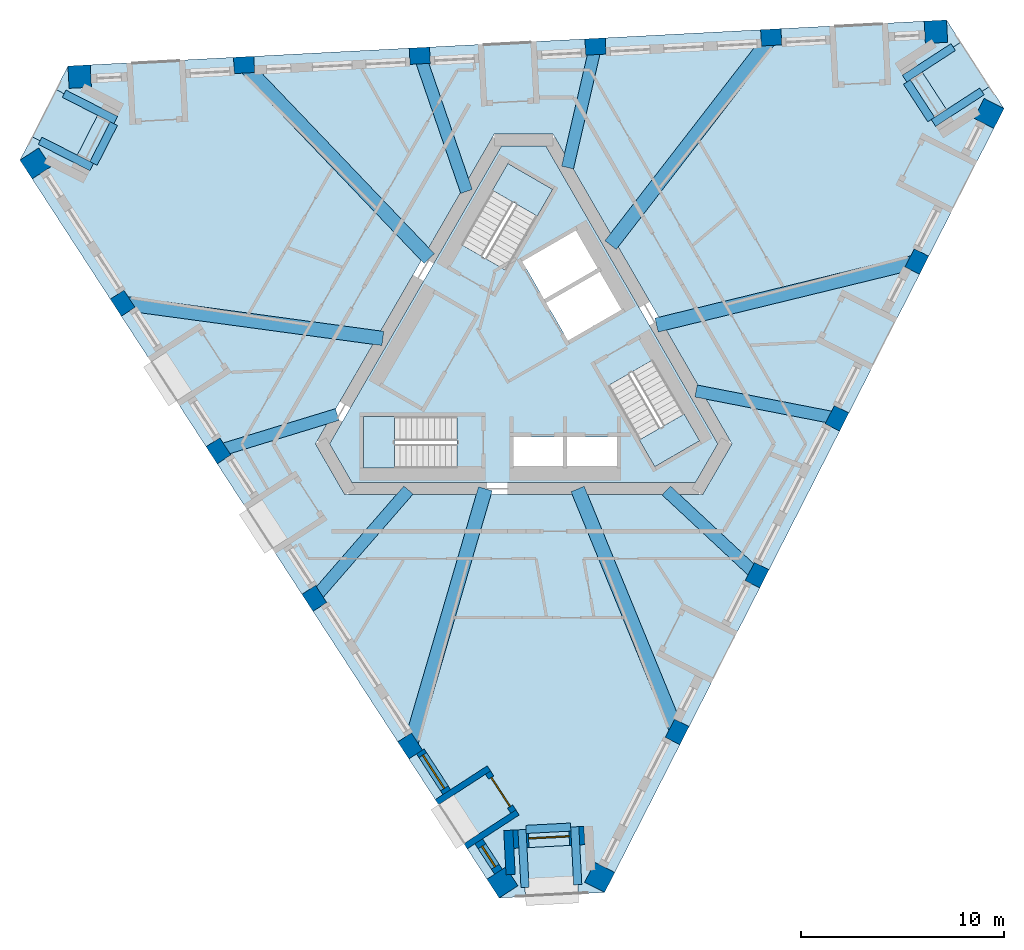
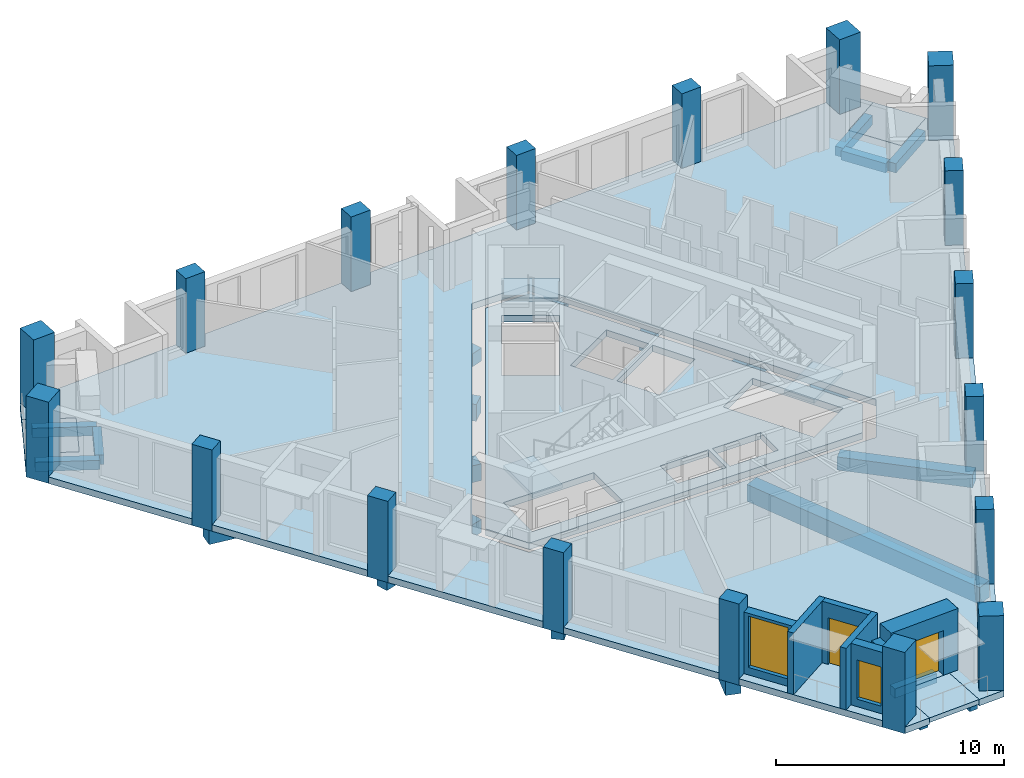
# One storey, part 1 of 12: 21 beams, 18 columns, 8 slabs, 7 walls, 2 doors, 2 windows, 4 openings, 3 elements without a shape of their own.
"""IFC4 building model written with IfcOpenShell, lengths in metres."""

import ifcopenshell
import ifcopenshell.guid

model = None  # the IFC model being written
_history = None  # IfcOwnerHistory: only IFC2X3 demands one
_inside = {}  # id of a spatial element -> (the spatial element, [elements in it])
_under = {}  # id of a project, library or spatial element -> (it, [spatial elements below it])
_declared = {}  # id of a project -> (the project, [libraries it declares])
_typed = {}  # id of a type object -> (the type object, [elements of that type])
_made_of = {}  # id of a material, layer set ... -> (it, [elements and type objects made of it])


def new_model(schema):
    """Start an empty IFC model of exactly this schema.

    Asked for "IFC4X3", IfcOpenShell would pick the latest addendum, in which some entities
    have other attributes; the version numbers below select the first issue.
    IFC2X3 requires an IfcOwnerHistory on every rooted entity: one is made here for all.
    """
    global model, _history
    if schema == "IFC4X3":
        model = ifcopenshell.file(schema_version=(4, 3, 0, 0))
    else:
        model = ifcopenshell.file(schema=schema)
    _inside.clear()
    _under.clear()
    _declared.clear()
    _typed.clear()
    _made_of.clear()
    _history = None
    if model.schema == "IFC2X3":
        org = make("IfcOrganization", Name="unknown")
        user = make(
            "IfcPersonAndOrganization",
            ThePerson=make("IfcPerson", FamilyName="unknown"),
            TheOrganization=org,
        )
        app = make(
            "IfcApplication",
            ApplicationDeveloper=org,
            Version="unknown",
            ApplicationFullName="unknown",
            ApplicationIdentifier="unknown",
        )
        _history = make(
            "IfcOwnerHistory",
            OwningUser=user,
            OwningApplication=app,
            ChangeAction="ADDED",
            CreationDate=0,
        )
    return model


def make(cls, **values):
    """One entity of the class cls with the attributes given. An attribute that is None is left unset."""
    return model.create_entity(
        cls, **{name: value for name, value in values.items() if value is not None}
    )


def rooted(cls, **values):
    """An entity with a GlobalId (a new one), such as an element, a storey or a relation."""
    return make(cls, GlobalId=ifcopenshell.guid.new(), OwnerHistory=_history, **values)


def si_unit(unit_type, name, prefix=None):
    """IfcSIUnit, for example si_unit("LENGTHUNIT", "METRE", prefix="MILLI")."""
    return make("IfcSIUnit", UnitType=unit_type, Prefix=prefix, Name=name)


def assignment(units):
    """IfcUnitAssignment: the units of a project."""
    return None if units is None else make("IfcUnitAssignment", Units=units)


def point(xyz):
    """IfcCartesianPoint."""
    return None if xyz is None else make("IfcCartesianPoint", Coordinates=xyz)


def direction(xyz):
    """IfcDirection."""
    return None if xyz is None else make("IfcDirection", DirectionRatios=xyz)


def frame(location, z_axis=None, x_axis=None):
    """IfcAxis2Placement3D, a coordinate frame: its origin and axes. An axis left out is left unset."""
    return make(
        "IfcAxis2Placement3D",
        Location=point(location),
        Axis=direction(z_axis),
        RefDirection=direction(x_axis),
    )


def frame_2d(location, x_axis=None):
    """IfcAxis2Placement2D, a coordinate frame in the plane: its origin and x axis."""
    return make(
        "IfcAxis2Placement2D", Location=point(location), RefDirection=direction(x_axis)
    )


def origin():
    """The frame at (0, 0, 0) with its axes left unset."""
    return frame((0.0, 0.0, 0.0))


def origin_2d():
    """The frame at (0, 0) in the plane with its x axis left unset."""
    return frame_2d((0.0, 0.0))


def place(relative_to, where):
    """IfcLocalPlacement: puts the frame where relative to a parent placement (None: the world)."""
    return make(
        "IfcLocalPlacement", PlacementRelTo=relative_to, RelativePlacement=where
    )


def context(
    kind, dimensions, precision=None, world=None, true_north=None, identifier=None
):
    """IfcGeometricRepresentationContext, for example the 3D "Model" context."""
    return make(
        "IfcGeometricRepresentationContext",
        ContextIdentifier=identifier,
        ContextType=kind,
        CoordinateSpaceDimension=dimensions,
        Precision=precision,
        WorldCoordinateSystem=world,
        TrueNorth=true_north,
    )


def subcontext(parent, identifier, kind, view, scale=None):
    """IfcGeometricRepresentationSubContext, for example "Body" below "Model"."""
    return make(
        "IfcGeometricRepresentationSubContext",
        ContextIdentifier=identifier,
        ContextType=kind,
        ParentContext=parent,
        TargetScale=scale,
        TargetView=view,
    )


def project(units=None, contexts=None):
    """IfcProject with its units and contexts."""
    return rooted(
        "IfcProject",
        Name="project",
        RepresentationContexts=contexts,
        UnitsInContext=assignment(units),
    )


def spatial(cls, under=None, at=None, **own):
    """A site, building, storey or space (cls), placed at a placement, below another one or the project."""
    s = rooted(cls, ObjectPlacement=at, **own)
    if under is not None:
        _under.setdefault(under.id(), (under, []))[1].append(s)
    return s


def polyline(points):
    """IfcPolyline through the points."""
    return make("IfcPolyline", Points=[point(p) for p in points])


def profile(cls, at=None, kind="AREA", **sizes):
    """A parametric profile (cls). Its sizes go by their IFC names, for example OverallWidth=200.0."""
    return make(cls, ProfileType=kind, Position=at, **sizes)


def rectangle(**sizes):
    """IfcRectangleProfileDef."""
    return profile("IfcRectangleProfileDef", **sizes)


def outline(outer, holes=None, kind="AREA"):
    """IfcArbitraryClosedProfileDef: a profile drawn as a closed curve; with holes, ...WithVoids."""
    if holes is None:
        return make("IfcArbitraryClosedProfileDef", ProfileType=kind, OuterCurve=outer)
    return make(
        "IfcArbitraryProfileDefWithVoids",
        ProfileType=kind,
        OuterCurve=outer,
        InnerCurves=holes,
    )


def extrude(swept, where, along, depth):
    """IfcExtrudedAreaSolid: the profile swept, set in the frame where, extruded along a direction by depth."""
    return make(
        "IfcExtrudedAreaSolid",
        SweptArea=swept,
        Position=where,
        ExtrudedDirection=direction(along),
        Depth=depth,
    )


def shape(context_of_items, identifier, shape_type, items):
    """IfcShapeRepresentation: the items that make up one representation, for example the "Body"."""
    return make(
        "IfcShapeRepresentation",
        ContextOfItems=context_of_items,
        RepresentationIdentifier=identifier,
        RepresentationType=shape_type,
        Items=items,
    )


def material(Name=None, Category=None):
    """IfcMaterial."""
    return make("IfcMaterial", Name=Name, Category=Category)


def layer(
    of_material, thickness, ventilated=None, Name=None, Category=None, Priority=None
):
    """IfcMaterialLayer: one layer of a wall or slab, of a material (None: an air gap)."""
    return make(
        "IfcMaterialLayer",
        Material=of_material,
        LayerThickness=thickness,
        IsVentilated=ventilated,
        Name=Name,
        Category=Category,
        Priority=Priority,
    )


def layer_set(layers, Name=None):
    """IfcMaterialLayerSet."""
    return make("IfcMaterialLayerSet", MaterialLayers=layers, LayerSetName=Name)


def material_profile(
    of_material, cross_section, Name=None, Category=None, Priority=None
):
    """IfcMaterialProfile: a cross section and its material."""
    return make(
        "IfcMaterialProfile",
        Name=Name,
        Material=of_material,
        Profile=cross_section,
        Priority=Priority,
        Category=Category,
    )


def profile_set(profiles, Name=None, composite=None):
    """IfcMaterialProfileSet."""
    return make(
        "IfcMaterialProfileSet",
        Name=Name,
        MaterialProfiles=profiles,
        CompositeProfile=composite,
    )


def made_of(thing, what):
    """Note that an element or type object is made of a material, layer set ...; save() writes the relation."""
    if what is not None:
        _made_of.setdefault(what.id(), (what, []))[1].append(thing)
    return thing


def type_object(cls, material=None, **own):
    """A type object (cls), such as IfcWallType, which elements share."""
    return made_of(rooted(cls, **own), material)


def element(
    cls,
    number,
    at=None,
    inside=None,
    cuts=None,
    type_object=None,
    material=None,
    context=None,
    identifier="Body",
    shape_type=None,
    held_by="IfcProductDefinitionShape",
    body=None,
    shapes=None,
    **own,
):
    """One element of the class cls, such as IfcWall. Its Tag is "e" and its number.

    at: its placement. inside: the storey or other place that contains it. cuts: it is an
    opening in that element (IfcRelVoidsElement). A single representation is given by context,
    identifier, shape_type and body (its items); several are given by shapes. held_by: the class
    of the entity that holds the representations. save() writes the other relations.
    """
    e = rooted(cls, Tag="e%d" % number, ObjectPlacement=at, **own)
    if body is not None:
        shapes = [shape(context, identifier, shape_type, body)]
    if shapes is not None:
        e.Representation = make(held_by, Representations=shapes)
    if inside is not None:
        _inside.setdefault(inside.id(), (inside, []))[1].append(e)
    if cuts is not None:
        rooted(
            "IfcRelVoidsElement", RelatingBuildingElement=cuts, RelatedOpeningElement=e
        )
    if type_object is not None:
        _typed.setdefault(type_object.id(), (type_object, []))[1].append(e)
    return made_of(e, material)


def fill(opening, filler):
    """IfcRelFillsElement: the door or window that sits in an opening."""
    return rooted(
        "IfcRelFillsElement",
        RelatingOpeningElement=opening,
        RelatedBuildingElement=filler,
    )


def aggregate(whole, parts):
    """IfcRelAggregates: a whole, such as a stair, and the parts it consists of."""
    return rooted("IfcRelAggregates", RelatingObject=whole, RelatedObjects=parts)


def save(model, path):
    """Write the relations noted so far, then the file.

    IfcRelAggregates (storeys below a building ...), IfcRelContainedInSpatialStructure (elements
    in a storey), IfcRelDefinesByType, IfcRelAssociatesMaterial and IfcRelDeclares: one each for
    every whole, place, type object, material and project.
    """
    for whole, parts in _under.values():
        aggregate(whole, parts)
    for where, things in _inside.values():
        rooted(
            "IfcRelContainedInSpatialStructure",
            RelatedElements=things,
            RelatingStructure=where,
        )
    for kind, things in _typed.values():
        rooted("IfcRelDefinesByType", RelatedObjects=things, RelatingType=kind)
    for what, things in _made_of.values():
        rooted("IfcRelAssociatesMaterial", RelatedObjects=things, RelatingMaterial=what)
    for by, libraries in _declared.values():
        rooted("IfcRelDeclares", RelatingContext=by, RelatedDefinitions=libraries)
    model.write(path)


model = new_model("IFC4")

# Units and contexts
model_context = context("Model", 3, precision=1e-05, world=origin(), true_north=direction((0.0, 1.0)))
body_context = subcontext(model_context, "Body", "Model", "MODEL_VIEW")
ifc_project = project(units=[si_unit("LENGTHUNIT", "METRE"), si_unit("AREAUNIT", "SQUARE_METRE"), si_unit("VOLUMEUNIT", "CUBIC_METRE"), si_unit("PLANEANGLEUNIT", "RADIAN"), si_unit("MASSUNIT", "GRAM", prefix="KILO")], contexts=[model_context])

# Site, building, storey
site_placement = place(None, origin())
site = spatial("IfcSite", under=ifc_project, at=site_placement, CompositionType="ELEMENT")
building_placement = place(site_placement, origin())
building = spatial("IfcBuilding", under=site, at=building_placement, Name="Tramontana Tower", CompositionType="ELEMENT")
storey_placement = place(building_placement, frame((0.0, 0.0, 274.39990234375)))
storey = spatial("IfcBuildingStorey", under=building, at=storey_placement, Name="L64", CompositionType="ELEMENT", Elevation=274.39990234375)

# Columns
ifc_material_1 = material(Name="Concrete 55 MPa", Category="concrete")
ifc_material_profile_1 = material_profile(ifc_material_1, rectangle(XDim=1.10009765625, YDim=1.10009765625, at=origin_2d()), Name="Mega column 1100X1100 55 MPa")
ifc_profile_set_1 = profile_set([ifc_material_profile_1], Name="Concrete 55 MPa")
column_type_1 = type_object("IfcColumnType", Name="Mega column 1100X1100 55 MPa", PredefinedType="COLUMN", material=ifc_profile_set_1)
for number, where, z_axis, x_axis, name in (
    (1, (-24.0302734375, 9.55419921875, -0.349853515625), (0.0, 0.0, 1.0), (0.544639035015, -0.838670567945, 0.0), "Mega column C7K1 L64"),
    (2, (-1.0458984375, -25.8388671875, -0.349853515625), (0.0, 0.0, 1.0), (0.544639035015, -0.838670567945, 0.0), "Mega column C7K2 L64"),
    (3, (3.740966796875, -25.587890625, -0.349853515625), (0.0, 0.0, 1.0), (0.45399049974, 0.891006524188, 0.0), "Mega column C7K3 L64"),
    (4, (22.900146484375, 12.013671875, -0.349853515625), (0.0, 0.0, 1.0), (0.45399049974, 0.891006524188, 0.0), "Mega column C7K4 L64"),
    (5, (20.289306640625, 16.033935546875, -0.349853515625), (0.0, 0.0, 1.0), (-0.998629534755, -0.052335956243, 0.0), "Mega column C7K5 L64"),
    (6, (-21.854248046875, 13.8251953125, -0.349853515625), (0.0, 0.0, 1.0), (-0.998629534755, -0.052335956243, 0.0), "Mega column C7K6 L64"),
):
    element("IfcColumn", number, at=place(storey_placement, frame(where, z_axis=z_axis, x_axis=x_axis)), inside=storey, type_object=column_type_1, Name=name, PredefinedType="COLUMN", context=body_context, shape_type="SweptSolid", body=[
        extrude(rectangle(XDim=1.10009765625, YDim=1.10009765625, at=origin_2d()), origin(), (0.0, 0.0, 1.0), 4.349853515625),
    ])
ifc_material_2 = material(Name="Concrete 55 MPa", Category="concrete")
ifc_material_profile_2 = material_profile(ifc_material_2, rectangle(XDim=1.0, YDim=0.800048828125, at=origin_2d()), Name="Pier column 1000X800 55 MPa")
ifc_profile_set_2 = profile_set([ifc_material_profile_2], Name="Concrete 55 MPa")
column_type_2 = type_object("IfcColumnType", Name="Pier column 1000X800 55 MPa", PredefinedType="COLUMN", material=ifc_profile_set_2)
for number, where, z_axis, x_axis, name in (
    (7, (-19.739013671875, 2.670654296875, -0.349853515625), (0.0, 0.0, 1.0), (0.544639035015, -0.838670567945, 0.0), "Pier column C7F01 L64"),
    (8, (-15.022216796875, -4.592529296875, -0.349853515625), (0.0, 0.0, 1.0), (0.544639035015, -0.838670567945, 0.0), "Pier column C7F02 L64"),
    (9, (-10.3056640625, -11.855712890625, -0.349853515625), (0.0, 0.0, 1.0), (0.544639035015, -0.838670567945, 0.0), "Pier column C7F03 L64"),
    (10, (-5.5888671875, -19.11865234375, -0.349853515625), (0.0, 0.0, 1.0), (0.544639035015, -0.838670567945, 0.0), "Pier column C7F04 L64"),
    (11, (7.556640625, -18.4296875, -0.349853515625), (0.0, 0.0, 1.0), (0.45399049974, 0.891006524188, 0.0), "Pier column C7F05 L64"),
    (12, (11.48828125, -10.71337890625, -0.349853515625), (0.0, 0.0, 1.0), (0.45399049974, 0.891006524188, 0.0), "Pier column C7F06 L64"),
    (13, (15.419921875, -2.9970703125, -0.349853515625), (0.0, 0.0, 1.0), (0.45399049974, 0.891006524188, 0.0), "Pier column C7F07 L64"),
    (14, (19.351806640625, 4.71923828125, -0.349853515625), (0.0, 0.0, 1.0), (0.45399049974, 0.891006524188, 0.0), "Pier column C7F08 L64"),
    (15, (12.182373046875, 15.75927734375, -0.349853515625), (0.0, 0.0, 1.0), (-0.998629534755, -0.052335956243, 0.0), "Pier column C7F09 L64"),
    (16, (3.533935546875, 15.305908203125, -0.349853515625), (0.0, 0.0, 1.0), (-0.998629534755, -0.052335956243, 0.0), "Pier column C7F10 L64"),
    (17, (-5.114501953125, 14.852783203125, -0.349853515625), (0.0, 0.0, 1.0), (-0.998629534755, -0.052335956243, 0.0), "Pier column C7F11 L64"),
    (18, (-13.762939453125, 14.3994140625, -0.349853515625), (0.0, 0.0, 1.0), (-0.998629534755, -0.052335956243, 0.0), "Pier column C7F12 L64"),
):
    element("IfcColumn", number, at=place(storey_placement, frame(where, z_axis=z_axis, x_axis=x_axis)), inside=storey, type_object=column_type_2, Name=name, PredefinedType="COLUMN", context=body_context, shape_type="SweptSolid", body=[
        extrude(rectangle(XDim=1.0, YDim=0.800048828125, at=origin_2d()), origin(), (0.0, 0.0, 1.0), 4.349853515625),
    ])

# Beams
ifc_material_3 = material(Name="Concrete 40 MPa", Category="concrete")
ifc_material_profile_3 = material_profile(ifc_material_3, rectangle(XDim=0.60009765625, YDim=0.699951171875, at=origin_2d()), Name="RC GIRDER 600X700 40 MPa")
ifc_profile_set_3 = profile_set([ifc_material_profile_3], Name="Concrete 40 MPa")
beam_type_1 = type_object("IfcBeamType", Name="RC GIRDER 600X700 40 MPa", PredefinedType="BEAM", material=ifc_profile_set_3)
beam_1_placement = place(storey_placement, frame((-15.022216796875, -4.592529296875, -0.699951171875), z_axis=(0.956311245936, 0.292350476137, 0.0), x_axis=(-0.292350476137, 0.956311245936, 0.0)))
element("IfcBeam", 19, at=beam_1_placement, inside=storey, type_object=beam_type_1, Name="Radial girder C7F02 L64", PredefinedType="BEAM", context=body_context, shape_type="SweptSolid", body=[
    extrude(rectangle(XDim=0.60009765625, YDim=0.699951171875, at=origin_2d()), origin(), (0.0, 0.0, 1.0), 6.111328125),
])
beam_2_placement = place(storey_placement, frame((-10.3056640625, -11.855712890625, -0.699951171875), z_axis=(0.656054652409, 0.754713384705, 0.0), x_axis=(-0.754713384705, 0.656054652409, 0.0)))
element("IfcBeam", 20, at=beam_2_placement, inside=storey, type_object=beam_type_1, Name="Radial girder C7F03 L64", PredefinedType="BEAM", context=body_context, shape_type="SweptSolid", body=[
    extrude(rectangle(XDim=0.60009765625, YDim=0.699951171875, at=origin_2d()), origin(), (0.0, 0.0, 1.0), 7.06494140625),
])
beam_3_placement = place(storey_placement, frame((11.48828125, -10.71337890625, -0.699951171875), z_axis=(-0.731344808312, 0.682007896843, 0.0), x_axis=(-0.682007896843, -0.731344808312, 0.0)))
element("IfcBeam", 21, at=beam_3_placement, inside=storey, type_object=beam_type_1, Name="Radial girder C7F06 L64", PredefinedType="BEAM", context=body_context, shape_type="SweptSolid", body=[
    extrude(rectangle(XDim=0.60009765625, YDim=0.699951171875, at=origin_2d()), origin(), (0.0, 0.0, 1.0), 6.111328125),
])
beam_4_placement = place(storey_placement, frame((15.419921875, -2.9970703125, -0.699951171875), z_axis=(-0.981630853668, 0.190790112761, 0.0), x_axis=(-0.190790112761, -0.981630853668, 0.0)))
element("IfcBeam", 22, at=beam_4_placement, inside=storey, type_object=beam_type_1, Name="Radial girder C7F07 L64", PredefinedType="BEAM", context=body_context, shape_type="SweptSolid", body=[
    extrude(rectangle(XDim=0.60009765625, YDim=0.699951171875, at=origin_2d()), origin(), (0.0, 0.0, 1.0), 7.06494140625),
])
beam_5_placement = place(storey_placement, frame((3.533935546875, 15.305908203125, -0.699951171875), z_axis=(-0.224955788451, -0.974368971818, 0.0), x_axis=(0.974368971818, -0.224955788451, 0.0)))
element("IfcBeam", 23, at=beam_5_placement, inside=storey, type_object=beam_type_1, Name="Radial girder C7F10 L64", PredefinedType="BEAM", context=body_context, shape_type="SweptSolid", body=[
    extrude(rectangle(XDim=0.60009765625, YDim=0.699951171875, at=origin_2d()), origin(), (0.0, 0.0, 1.0), 6.111328125),
])
beam_6_placement = place(storey_placement, frame((-5.114501953125, 14.852783203125, -0.699951171875), z_axis=(0.325583843266, -0.945513173364, 0.0), x_axis=(0.945513173364, 0.325583843266, 0.0)))
element("IfcBeam", 24, at=beam_6_placement, inside=storey, type_object=beam_type_1, Name="Radial girder C7F11 L64", PredefinedType="BEAM", context=body_context, shape_type="SweptSolid", body=[
    extrude(rectangle(XDim=0.60009765625, YDim=0.699951171875, at=origin_2d()), origin(), (0.0, 0.0, 1.0), 7.065185546875),
])
ifc_material_4 = material(Name="Concrete 40 MPa", Category="concrete")
ifc_material_profile_4 = material_profile(ifc_material_4, rectangle(XDim=0.699951171875, YDim=0.89990234375, at=origin_2d()), Name="RC GIRDER 700X900 40 MPa")
ifc_profile_set_4 = profile_set([ifc_material_profile_4], Name="Concrete 40 MPa")
beam_type_2 = type_object("IfcBeamType", Name="RC GIRDER 700X900 40 MPa", PredefinedType="BEAM", material=ifc_profile_set_4)
beam_7_placement = place(storey_placement, frame((-19.739013671875, 2.670654296875, -0.7998046875), z_axis=(0.990971820042, -0.134070324396, 0.0), x_axis=(0.134070324396, 0.990971820042, 0.0)))
element("IfcBeam", 25, at=beam_7_placement, inside=storey, type_object=beam_type_2, Name="Radial girder C7F01 L64", PredefinedType="BEAM", context=body_context, shape_type="SweptSolid", body=[
    extrude(rectangle(XDim=0.699951171875, YDim=0.89990234375, at=origin_2d()), origin(), (0.0, 0.0, 1.0), 12.923583984375),
])
beam_8_placement = place(storey_placement, frame((-5.5888671875, -19.11865234375, -0.7998046875), z_axis=(0.280592184152, 0.959827081402, 0.0), x_axis=(-0.959827081402, 0.280592184152, 0.0)))
element("IfcBeam", 26, at=beam_8_placement, inside=storey, type_object=beam_type_2, Name="Radial girder C7F04 L64", PredefinedType="BEAM", context=body_context, shape_type="SweptSolid", body=[
    extrude(rectangle(XDim=0.699951171875, YDim=0.89990234375, at=origin_2d()), origin(), (0.0, 0.0, 1.0), 13.186279296875),
])
beam_9_placement = place(storey_placement, frame((7.556640625, -18.4296875, -0.7998046875), z_axis=(-0.379376408021, 0.925242422848, 0.0), x_axis=(-0.925242422848, -0.379376408021, 0.0)))
element("IfcBeam", 27, at=beam_9_placement, inside=storey, type_object=beam_type_2, Name="Radial girder C7F05 L64", PredefinedType="BEAM", context=body_context, shape_type="SweptSolid", body=[
    extrude(rectangle(XDim=0.699951171875, YDim=0.89990234375, at=origin_2d()), origin(), (0.0, 0.0, 1.0), 12.92333984375),
])
beam_10_placement = place(storey_placement, frame((19.351806640625, 4.71923828125, -0.7998046875), z_axis=(-0.971531149173, -0.2369118532, 0.0), x_axis=(0.2369118532, -0.971531149173, 0.0)))
element("IfcBeam", 28, at=beam_10_placement, inside=storey, type_object=beam_type_2, Name="Radial girder C7F08 L64", PredefinedType="BEAM", context=body_context, shape_type="SweptSolid", body=[
    extrude(rectangle(XDim=0.699951171875, YDim=0.89990234375, at=origin_2d()), origin(), (0.0, 0.0, 1.0), 13.1865234375),
])
beam_11_placement = place(storey_placement, frame((12.182373046875, 15.75927734375, -0.7998046875), z_axis=(-0.611594268049, -0.791171568808, 0.0), x_axis=(0.791171568808, -0.611594268049, 0.0)))
element("IfcBeam", 29, at=beam_11_placement, inside=storey, type_object=beam_type_2, Name="Radial girder C7F09 L64", PredefinedType="BEAM", context=body_context, shape_type="SweptSolid", body=[
    extrude(rectangle(XDim=0.699951171875, YDim=0.89990234375, at=origin_2d()), origin(), (0.0, 0.0, 1.0), 12.923583984375),
])
beam_12_placement = place(storey_placement, frame((-13.762939453125, 14.3994140625, -0.7998046875), z_axis=(0.69094809316, -0.722904373039, 0.0), x_axis=(0.722904373039, 0.69094809316, 0.0)))
element("IfcBeam", 30, at=beam_12_placement, inside=storey, type_object=beam_type_2, Name="Radial girder C7F12 L64", PredefinedType="BEAM", context=body_context, shape_type="SweptSolid", body=[
    extrude(rectangle(XDim=0.699951171875, YDim=0.89990234375, at=origin_2d()), origin(), (0.0, 0.0, 1.0), 13.186279296875),
])
ifc_material_5 = material(Name="Concrete 40 MPa", Category="concrete")
ifc_material_profile_5 = material_profile(ifc_material_5, rectangle(XDim=0.39990234375, YDim=0.5, at=origin_2d()), Name="RC TRIM BEAM 400X500 40 MPa")
ifc_profile_set_5 = profile_set([ifc_material_profile_5], Name="Concrete 40 MPa")
beam_type_3 = type_object("IfcBeamType", Name="RC TRIM BEAM 400X500 40 MPa", PredefinedType="JOIST", material=ifc_profile_set_5)
beam_13_placement = place(storey_placement, frame((-20.172119140625, 11.5126953125, -0.599853515625), z_axis=(-0.453904168922, -0.891050506669, 0.0), x_axis=(0.891050506669, -0.453904168922, 0.0)))
element("IfcBeam", 31, at=beam_13_placement, inside=storey, type_object=beam_type_3, Name="Trimmer beam K0 L64", PredefinedType="JOIST", context=body_context, shape_type="SweptSolid", body=[
    extrude(rectangle(XDim=0.39990234375, YDim=0.5, at=origin_2d()), origin(), (0.0, 0.0, 1.0), 2.199951171875),
])
for number, where, z_axis, x_axis, name in (
    (32, (-22.62060546875, 12.98486328125, -0.599853515625), (0.890991768973, -0.454019457317, 0.0), (0.454019457317, 0.890991768973, 0.0), "Tray beam K0L L64"),
    (33, (-23.80078125, 10.668212890625, -0.599853515625), (0.890991768973, -0.454019457317, 0.0), (0.454019457317, 0.890991768973, 0.0), "Tray beam K0R L64"),
):
    element("IfcBeam", number, at=place(storey_placement, frame(where, z_axis=z_axis, x_axis=x_axis)), inside=storey, type_object=beam_type_3, Name=name, PredefinedType="JOIST", context=body_context, shape_type="SweptSolid", body=[
        extrude(rectangle(XDim=0.39990234375, YDim=0.5, at=origin_2d()), origin(), (0.0, 0.0, 1.0), 2.85009765625),
    ])
beam_14_placement = place(storey_placement, frame((0.11572265625, -23.225830078125, -0.599853515625), z_axis=(0.998627316044, 0.052378274605, 0.0), x_axis=(-0.052378274605, 0.998627316044, 0.0)))
element("IfcBeam", 34, at=beam_14_placement, inside=storey, type_object=beam_type_3, Name="Trimmer beam K1 L64", PredefinedType="JOIST", context=body_context, shape_type="SweptSolid", body=[
    extrude(rectangle(XDim=0.39990234375, YDim=0.5, at=origin_2d()), origin(), (0.0, 0.0, 1.0), 2.199951171875),
])
for number, where, z_axis, x_axis, name in (
    (35, (0.065185546875, -26.082275390625, -0.599853515625), (-0.052338528339, 0.998629399953, 0.0), (-0.998629399953, -0.052338528339, 0.0), "Tray beam K1L L64"),
    (36, (2.66162109375, -25.9462890625, -0.599853515625), (-0.052338528339, 0.998629399953, 0.0), (-0.998629399953, -0.052338528339, 0.0), "Tray beam K1R L64"),
):
    element("IfcBeam", number, at=place(storey_placement, frame(where, z_axis=z_axis, x_axis=x_axis)), inside=storey, type_object=beam_type_3, Name=name, PredefinedType="JOIST", context=body_context, shape_type="SweptSolid", body=[
        extrude(rectangle(XDim=0.39990234375, YDim=0.5, at=origin_2d()), origin(), (0.0, 0.0, 1.0), 2.85009765625),
    ])
beam_15_placement = place(storey_placement, frame((20.056396484375, 11.713134765625, -0.599853515625), z_axis=(-0.544672350866, 0.838648931438, 0.0), x_axis=(-0.838648931438, -0.544672350866, 0.0)))
element("IfcBeam", 37, at=beam_15_placement, inside=storey, type_object=beam_type_3, Name="Trimmer beam K2 L64", PredefinedType="JOIST", context=body_context, shape_type="SweptSolid", body=[
    extrude(rectangle(XDim=0.39990234375, YDim=0.5, at=origin_2d()), origin(), (0.0, 0.0, 1.0), 2.199951171875),
])
beam_16_placement = place(storey_placement, frame((22.555419921875, 13.09765625, -0.599853515625), z_axis=(-0.838658842144, -0.544657090741, 0.0), x_axis=(0.544657090741, -0.838658842144, 0.0)))
element("IfcBeam", 38, at=beam_16_placement, inside=storey, type_object=beam_type_3, Name="Tray beam K2L L64", PredefinedType="JOIST", context=body_context, shape_type="SweptSolid", body=[
    extrude(rectangle(XDim=0.39990234375, YDim=0.5, at=origin_2d()), origin(), (0.0, 0.0, 1.0), 2.849853515625),
])
beam_17_placement = place(storey_placement, frame((21.139404296875, 15.278076171875, -0.599853515625), z_axis=(-0.838684251997, -0.544617962843, 0.0), x_axis=(0.544617962843, -0.838684251997, 0.0)))
element("IfcBeam", 39, at=beam_17_placement, inside=storey, type_object=beam_type_3, Name="Tray beam K2R L64", PredefinedType="JOIST", context=body_context, shape_type="SweptSolid", body=[
    extrude(rectangle(XDim=0.39990234375, YDim=0.5, at=origin_2d()), origin(), (0.0, 0.0, 1.0), 2.85009765625),
])

# Slabs
ifc_material_6 = material(Name="Precast concrete 50 MPa", Category="concrete")
ifc_layer_1 = layer(ifc_material_6, 0.25)
ifc_layer_set_1 = layer_set([ifc_layer_1], Name="LT1 Loggia floor tray 250")
slab_type_1 = type_object("IfcSlabType", Name="LT1 Loggia floor tray 250", PredefinedType="FLOOR", material=ifc_layer_set_1)
slab_1_placement = place(storey_placement, frame((0.0, 0.0, -0.25)))
element("IfcSlab", 40, at=slab_1_placement, inside=storey, type_object=slab_type_1, Name="Corner loggia floor L64 K70", PredefinedType="FLOOR", context=body_context, shape_type="SweptSolid", body=[
    extrude(outline(polyline([(-23.021484375, 13.18896484375), (-20.883056640625, 12.099365234375), (-22.0634765625, 9.782958984375), (-24.201904296875, 10.87255859375), (-23.021484375, 13.18896484375)])), origin(), (0.0, 0.0, 1.0), 0.25),
])
slab_2_placement = place(storey_placement, frame((0.0, 0.0, -0.25)))
element("IfcSlab", 41, at=slab_2_placement, inside=storey, type_object=slab_type_1, Name="Corner loggia floor L64 K71", PredefinedType="FLOOR", context=body_context, shape_type="SweptSolid", body=[
    extrude(outline(polyline([(0.088623046875, -26.53173828125), (-0.036865234375, -24.135009765625), (2.5595703125, -23.9990234375), (2.68505859375, -26.395751953125), (0.088623046875, -26.53173828125)])), origin(), (0.0, 0.0, 1.0), 0.25),
])
slab_3_placement = place(storey_placement, frame((0.0, 0.0, -0.25)))
element("IfcSlab", 42, at=slab_3_placement, inside=storey, type_object=slab_type_1, Name="Corner loggia floor L64 K72", PredefinedType="FLOOR", context=body_context, shape_type="SweptSolid", body=[
    extrude(outline(polyline([(22.932861328125, 13.3427734375), (20.919921875, 12.03564453125), (19.50390625, 14.216064453125), (21.516845703125, 15.523193359375), (22.932861328125, 13.3427734375)])), origin(), (0.0, 0.0, 1.0), 0.25),
])
ifc_material_7 = material(Name="Concrete 40 MPa", Category="concrete")
ifc_layer_2 = layer(ifc_material_7, 0.35009765625)
ifc_layer_set_2 = layer_set([ifc_layer_2], Name="PT FLAT SLAB 350 40 MPa")
slab_type_2 = type_object("IfcSlabType", Name="PT FLAT SLAB 350 40 MPa", PredefinedType="FLOOR", material=ifc_layer_set_2)
slab_4_placement = place(storey_placement, frame((0.0, 0.0, -0.349853515625)))
element("IfcSlab", 43, at=slab_4_placement, inside=storey, type_object=slab_type_2, Name="Floor slab L64", PredefinedType="FLOOR", context=body_context, shape_type="SweptSolid", body=[
    extrude(outline(polyline([(21.5166015625, 15.523193359375), (19.50390625, 14.216064453125), (20.919921875, 12.035400390625), (22.932861328125, 13.3427734375), (23.639892578125, 12.25390625), (3.9814453125, -26.32763671875), (2.68505859375, -26.3955078125), (2.5595703125, -23.998779296875), (-0.036865234375, -24.135009765625), (0.088623046875, -26.53173828125), (-1.20751953125, -26.599609375), (-24.791259765625, 9.7158203125), (-24.201904296875, 10.872314453125), (-22.0634765625, 9.782958984375), (-20.883056640625, 12.099609375), (-23.021484375, 13.189208984375), (-22.43212890625, 14.345703125), (20.809814453125, 16.61181640625), (21.5166015625, 15.523193359375)]), holes=[polyline([(-10.248046875, -4.25), (-8.8046875, -6.75), (8.8046875, -6.75), (10.248046875, -4.25), (1.443359375, 11.0), (-1.443359375, 11.0), (-10.248046875, -4.25)])]), origin(), (0.0, 0.0, 1.0), 0.349853515625),
])
slab_5_placement = place(storey_placement, frame((0.0, 0.0, -0.349853515625)))
element("IfcSlab", 44, at=slab_5_placement, inside=storey, type_object=slab_type_2, Name="Core floor slab L64", PredefinedType="FLOOR", context=body_context, shape_type="SweptSolid", body=[
    extrude(outline(polyline([(9.55517578125, -4.25), (8.458251953125, -6.14990234375), (-8.458251953125, -6.14990234375), (-9.55517578125, -4.25), (-1.096923828125, 10.39990234375), (1.096923828125, 10.39990234375), (9.55517578125, -4.25)]), holes=[polyline([(8.659912109375, -4.099365234375), (6.35986328125, -0.115478515625), (4.151611328125, -1.390625), (6.451416015625, -5.374267578125), (8.659912109375, -4.099365234375)]), polyline([(3.829833984375, 4.2666015625), (1.101806640625, 2.69140625), (2.177001953125, 0.82958984375), (4.90478515625, 2.404541015625), (3.829833984375, 4.2666015625)]), polyline([(4.590087890625, -3.89990234375), (2.139892578125, -3.89990234375), (2.139892578125, -5.449951171875), (4.590087890625, -5.449951171875), (4.590087890625, -3.89990234375)]), polyline([(2.65478515625, 6.3017578125), (-0.072998046875, 4.726806640625), (1.001953125, 2.86474609375), (3.729736328125, 4.439697265625), (2.65478515625, 6.3017578125)]), polyline([(1.93994140625, -5.449951171875), (1.93994140625, -3.89990234375), (-0.510009765625, -3.89990234375), (-0.510009765625, -5.449951171875), (1.93994140625, -5.449951171875)]), polyline([(-0.77978515625, 9.54931640625), (-3.079833984375, 5.565673828125), (-0.87158203125, 4.29052734375), (1.428466796875, 8.2744140625), (-0.77978515625, 9.54931640625)]), polyline([(-7.8798828125, -5.449951171875), (-3.280029296875, -5.449951171875), (-3.280029296875, -2.89990234375), (-7.8798828125, -2.89990234375), (-7.8798828125, -5.449951171875)])]), origin(), (0.0, 0.0, 1.0), 0.349853515625),
])

# Stair, slab
ifc_material_8 = material(Name="Concrete 40 MPa", Category="concrete")
stair_type = type_object("IfcStairType", Name="EXIT STAIR 24 RISERS", PredefinedType="HALF_TURN_STAIR", material=ifc_material_8)
stair_1_placement = place(storey_placement, origin())
stair_1 = element("IfcStair", 45, at=stair_1_placement, inside=storey, type_object=stair_type, Name="L64 Exit stair ST1", PredefinedType="HALF_TURN_STAIR")
ifc_material_9 = material(Name="Concrete 40 MPa", Category="concrete")
ifc_layer_3 = layer(ifc_material_9, 0.199951171875)
ifc_layer_set_3 = layer_set([ifc_layer_3], Name="STAIR LANDING 200")
slab_type_3 = type_object("IfcSlabType", Name="STAIR LANDING 200", PredefinedType="LANDING", material=ifc_layer_set_3)
slab_6_placement = place(storey_placement, frame((0.0, 0.0, 1.800048828125)))
slab_6 = element("IfcSlab", 46, at=slab_6_placement, type_object=slab_type_3, Name="ST1 landing 1", PredefinedType="LANDING", context=body_context, shape_type="SweptSolid", body=[
    extrude(outline(polyline([(0.66845703125, 6.9580078125), (1.428466796875, 8.274169921875), (-0.77978515625, 9.54931640625), (-1.539794921875, 8.23291015625), (0.66845703125, 6.9580078125)])), origin(), (0.0, 0.0, 1.0), 0.199951171875),
])
aggregate(stair_1, [slab_6])

stair_2_placement = place(storey_placement, origin())
stair_2 = element("IfcStair", 47, at=stair_2_placement, inside=storey, type_object=stair_type, Name="L64 Exit stair ST2", PredefinedType="HALF_TURN_STAIR")
slab_7_placement = place(storey_placement, frame((0.0, 0.0, 1.800048828125)))
slab_7 = element("IfcSlab", 48, at=slab_7_placement, type_object=slab_type_3, Name="ST2 landing 1", PredefinedType="LANDING", context=body_context, shape_type="SweptSolid", body=[
    extrude(outline(polyline([(-6.360107421875, -2.89990234375), (-7.8798828125, -2.89990234375), (-7.8798828125, -5.449951171875), (-6.360107421875, -5.449951171875), (-6.360107421875, -2.89990234375)])), origin(), (0.0, 0.0, 1.0), 0.199951171875),
])
aggregate(stair_2, [slab_7])

stair_3_placement = place(storey_placement, origin())
stair_3 = element("IfcStair", 49, at=stair_3_placement, inside=storey, type_object=stair_type, Name="L64 Exit stair ST3", PredefinedType="HALF_TURN_STAIR")
slab_8_placement = place(storey_placement, frame((0.0, 0.0, 1.800048828125)))
slab_8 = element("IfcSlab", 50, at=slab_8_placement, type_object=slab_type_3, Name="ST3 landing 1", PredefinedType="LANDING", context=body_context, shape_type="SweptSolid", body=[
    extrude(outline(polyline([(5.69140625, -4.057861328125), (6.451416015625, -5.374267578125), (8.659912109375, -4.099365234375), (7.89990234375, -2.782958984375), (5.69140625, -4.057861328125)])), origin(), (0.0, 0.0, 1.0), 0.199951171875),
])
aggregate(stair_3, [slab_8])

# Wall, opening, window
ifc_material_10 = material(Name="Precast concrete 60 MPa", Category="concrete")
ifc_layer_4 = layer(ifc_material_10, 0.449951171875)
ifc_layer_set_4 = layer_set([ifc_layer_4], Name="Precast concrete 60 MPa, 450 mm")
wall_type_1 = type_object("IfcWallType", Name="EW1 Stone-faced precast wall 450", PredefinedType="SOLIDWALL", material=ifc_layer_set_4)
wall_1_placement = place(storey_placement, frame((-5.0859375, -19.38818359375, 0.0), z_axis=(0.0, 0.0, 1.0), x_axis=(0.544675520966, -0.838646872563, 0.0)))
wall_1 = element("IfcWall", 51, at=wall_1_placement, inside=storey, type_object=wall_type_1, Name="External wall L64 face 0 bay 5", PredefinedType="SOLIDWALL", context=body_context, shape_type="SweptSolid", body=[
    extrude(rectangle(XDim=2.38671875, YDim=0.449951171875, at=frame_2d((1.193359375, 0.0))), origin(), (0.0, 0.0, 1.0), 3.300048828125),
])
opening_1_placement = place(wall_1_placement, frame((0.21826171875, 0.0, 0.39990234375)))
opening_1 = element("IfcOpeningElement", 52, at=opening_1_placement, cuts=wall_1, Name="Opening M3", PredefinedType="OPENING", context=body_context, shape_type="SweptSolid", body=[
    extrude(rectangle(XDim=1.949951171875, YDim=2.75, at=frame_2d((0.97509765625, 1.375))), frame((0.0, 0.23486328125, 0.0), z_axis=(0.0, -1.0, 0.0), x_axis=(1.0, 0.0, 0.0)), (0.0, 0.0, 1.0), 0.469970703125),
])
ifc_material_11 = material(Name="Aluminum frame, double glazing unit", Category="aluminium")
window_type_1 = type_object("IfcWindowType", Name="M3 Window 1.95 x 2.75", PartitioningType="SINGLE_PANEL", PredefinedType="WINDOW", material=ifc_material_11)
window_1_placement = place(opening_1_placement, origin())
window_1 = element("IfcWindow", 53, at=window_1_placement, inside=storey, type_object=window_type_1, Name="Window M3 L64 face 0 module 13", OverallHeight=2.75, OverallWidth=1.949951171875, PartitioningType="SINGLE_PANEL", PredefinedType="WINDOW", context=body_context, shape_type="SweptSolid", body=[
    extrude(rectangle(XDim=1.949951171875, YDim=2.75, at=frame_2d((0.97509765625, 1.375))), frame((0.0, 0.030029296875, 0.0), z_axis=(0.0, -1.0, 0.0), x_axis=(1.0, 0.0, 0.0)), (0.0, 0.0, 1.0), 0.06005859375),
])
fill(opening_1, window_1)

wall_2_placement = place(storey_placement, frame((-2.2138671875, -23.81103515625, 0.0), z_axis=(0.0, 0.0, 1.0), x_axis=(0.544632902776, -0.838674550236, 0.0)))
wall_2 = element("IfcWall", 54, at=wall_2_placement, inside=storey, type_object=wall_type_1, Name="External wall L64 face 0 bay 5", PredefinedType="SOLIDWALL", context=body_context, shape_type="SweptSolid", body=[
    extrude(rectangle(XDim=1.786865234375, YDim=0.449951171875, at=frame_2d((0.8935546875, 0.0))), origin(), (0.0, 0.0, 1.0), 3.300048828125),
])
opening_2_placement = place(wall_2_placement, frame((0.29345703125, 0.0, 0.39990234375)))
opening_2 = element("IfcOpeningElement", 55, at=opening_2_placement, cuts=wall_2, Name="Opening N3L", PredefinedType="OPENING", context=body_context, shape_type="SweptSolid", body=[
    extrude(rectangle(XDim=1.199951171875, YDim=2.10009765625, at=frame_2d((0.60009765625, 1.050048828125))), frame((0.0, 0.23486328125, 0.0), z_axis=(0.0, -1.0, 0.0), x_axis=(1.0, 0.0, 0.0)), (0.0, 0.0, 1.0), 0.469970703125),
])
ifc_material_12 = material(Name="Aluminum frame, double glazing unit", Category="aluminium")
window_type_2 = type_object("IfcWindowType", Name="N3L Window 1.2 x 2.1", PartitioningType="SINGLE_PANEL", PredefinedType="WINDOW", material=ifc_material_12)
window_2_placement = place(opening_2_placement, origin())
window_2 = element("IfcWindow", 56, at=window_2_placement, inside=storey, type_object=window_type_2, Name="Window N3L L64 face 0 module 15", OverallHeight=2.10009765625, OverallWidth=1.199951171875, PartitioningType="SINGLE_PANEL", PredefinedType="WINDOW", context=body_context, shape_type="SweptSolid", body=[
    extrude(rectangle(XDim=1.199951171875, YDim=2.10009765625, at=frame_2d((0.60009765625, 1.050048828125))), frame((0.0, 0.030029296875, 0.0), z_axis=(0.0, -1.0, 0.0), x_axis=(1.0, 0.0, 0.0)), (0.0, 0.0, 1.0), 0.06005859375),
])
fill(opening_2, window_2)

# Wall
wall_3_placement = place(storey_placement, frame((-0.64404296875, -25.44775390625, 0.0), z_axis=(0.0, 0.0, 1.0), x_axis=(-0.052317751649, 0.998630488651, 0.0)))
element("IfcWall", 57, at=wall_3_placement, inside=storey, type_object=wall_type_1, Name="Corner loggia side wall L64 K71r", PredefinedType="SOLIDWALL", context=body_context, shape_type="SweptSolid", body=[
    extrude(rectangle(XDim=2.17919921875, YDim=0.449951171875, at=frame_2d((1.089599609375, 0.0))), origin(), (0.0, 0.0, 1.0), 2.550048828125),
])

# Wall, opening, door
ifc_material_13 = material(Name="Precast concrete 60 MPa", Category="concrete")
ifc_layer_5 = layer(ifc_material_13, 0.89990234375)
ifc_layer_set_5 = layer_set([ifc_layer_5], Name="EW2 Stone-faced corner loggia wall 900")
wall_type_2 = type_object("IfcWallType", Name="EW2 Stone-faced corner loggia wall 900", PredefinedType="SOLIDWALL", material=ifc_layer_set_5)
wall_4_placement = place(storey_placement, frame((2.9853515625, -23.52587890625, 0.0), z_axis=(0.0, 0.0, 1.0), x_axis=(-0.998626871225, -0.0523867547, 0.0)))
wall_4 = element("IfcWall", 58, at=wall_4_placement, inside=storey, type_object=wall_type_2, Name="Corner loggia wall L64 K71", PredefinedType="SOLIDWALL", context=body_context, shape_type="SweptSolid", body=[
    extrude(rectangle(XDim=3.5, YDim=0.89990234375, at=frame_2d((1.75, 0.0))), origin(), (0.0, 0.0, 1.0), 3.300048828125),
])
opening_3_placement = place(wall_4_placement, frame((0.75, 0.0, 0.0)))
opening_3 = element("IfcOpeningElement", 59, at=opening_3_placement, cuts=wall_4, Name="Opening BD-71C", PredefinedType="OPENING", context=body_context, shape_type="SweptSolid", body=[
    extrude(rectangle(XDim=2.0, YDim=2.39990234375, at=frame_2d((1.0, 1.199951171875))), frame((0.0, 0.4599609375, 0.0), z_axis=(0.0, -1.0, 0.0), x_axis=(1.0, 0.0, 0.0)), (0.0, 0.0, 1.0), 0.919921875),
])
ifc_material_14 = material(Name="Aluminum frame, double glazing unit", Category="aluminium")
door_type_1 = type_object("IfcDoorType", Name="BC1 Sliding door 2 x 2.4", OperationType="SLIDING_TO_LEFT", PredefinedType="DOOR", material=ifc_material_14)
door_1_placement = place(opening_3_placement, origin())
door_1 = element("IfcDoor", 60, at=door_1_placement, inside=storey, type_object=door_type_1, Name="Corner loggia door L64 K71", OperationType="SLIDING_TO_LEFT", OverallHeight=2.39990234375, OverallWidth=2.0, PredefinedType="DOOR", context=body_context, shape_type="SweptSolid", body=[
    extrude(rectangle(XDim=2.0, YDim=2.39990234375, at=frame_2d((1.0, 1.199951171875))), frame((0.0, 0.02490234375, 0.0), z_axis=(0.0, -1.0, 0.0), x_axis=(1.0, 0.0, 0.0)), (0.0, 0.0, 1.0), 0.050048828125),
])
fill(opening_3, door_1)

ifc_material_15 = material(Name="Precast concrete 60 MPa", Category="concrete")
ifc_layer_6 = layer(ifc_material_15, 0.300048828125)
ifc_layer_set_6 = layer_set([ifc_layer_6], Name="LW1 Stone-faced loggia wall 300")
wall_type_3 = type_object("IfcWallType", Name="LW1 Stone-faced loggia wall 300", PredefinedType="SOLIDWALL", material=ifc_layer_set_6)
wall_5_placement = place(storey_placement, frame((-1.756591796875, -20.4296875, 0.0), z_axis=(0.0, 0.0, 1.0), x_axis=(0.544658103125, -0.838658184662, 0.0)))
wall_5 = element("IfcWall", 61, at=wall_5_placement, inside=storey, type_object=wall_type_3, Name="Loggia wall L64 G7S0.13", PredefinedType="SOLIDWALL", context=body_context, shape_type="SweptSolid", body=[
    extrude(rectangle(XDim=2.286865234375, YDim=0.300048828125, at=frame_2d((1.1435546875, 0.0))), origin(), (0.0, 0.0, 1.0), 3.300048828125),
])
opening_4_placement = place(wall_5_placement, frame((0.29345703125, 0.0, 0.0)))
opening_4 = element("IfcOpeningElement", 62, at=opening_4_placement, cuts=wall_5, Name="Opening BD-7S0-13", PredefinedType="OPENING", context=body_context, shape_type="SweptSolid", body=[
    extrude(rectangle(XDim=1.699951171875, YDim=2.5, at=frame_2d((0.85009765625, 1.25))), frame((0.0, 0.159912109375, 0.0), z_axis=(0.0, -1.0, 0.0), x_axis=(1.0, 0.0, 0.0)), (0.0, 0.0, 1.0), 0.320068359375),
])
ifc_material_16 = material(Name="Aluminum frame, double glazing unit", Category="aluminium")
door_type_2 = type_object("IfcDoorType", Name="BD3 Sliding door 1.7 x 2.5", OperationType="SLIDING_TO_LEFT", PredefinedType="DOOR", material=ifc_material_16)
door_2_placement = place(opening_4_placement, origin())
door_2 = element("IfcDoor", 63, at=door_2_placement, inside=storey, type_object=door_type_2, Name="Loggia door L64 G7S0.13", OperationType="SLIDING_TO_LEFT", OverallHeight=2.5, OverallWidth=1.699951171875, PredefinedType="DOOR", context=body_context, shape_type="SweptSolid", body=[
    extrude(rectangle(XDim=1.699951171875, YDim=2.5, at=frame_2d((0.85009765625, 1.25))), frame((0.0, 0.02490234375, 0.0), z_axis=(0.0, -1.0, 0.0), x_axis=(1.0, 0.0, 0.0)), (0.0, 0.0, 1.0), 0.050048828125),
])
fill(opening_4, door_2)

# Walls
wall_6_placement = place(storey_placement, frame((-4.2705078125, -21.88330078125, 0.0), z_axis=(0.0, 0.0, 1.0), x_axis=(0.838688583525, 0.544611292451, 0.0)))
element("IfcWall", 64, at=wall_6_placement, inside=storey, type_object=wall_type_3, Name="Loggia return L64 G7S0.13a", PredefinedType="SOLIDWALL", context=body_context, shape_type="SweptSolid", body=[
    extrude(rectangle(XDim=3.050048828125, YDim=0.300048828125, at=frame_2d((1.52490234375, 0.0))), origin(), (0.0, 0.0, 1.0), 3.300048828125),
])
wall_7_placement = place(storey_placement, frame((-2.861572265625, -24.052734375, 0.0), z_axis=(0.0, 0.0, 1.0), x_axis=(0.838664840319, 0.544647854685, 0.0)))
element("IfcWall", 65, at=wall_7_placement, inside=storey, type_object=wall_type_3, Name="Loggia return L64 G7S0.13b", PredefinedType="SOLIDWALL", context=body_context, shape_type="SweptSolid", body=[
    extrude(rectangle(XDim=3.0498046875, YDim=0.300048828125, at=frame_2d((1.52490234375, 0.0))), origin(), (0.0, 0.0, 1.0), 3.300048828125),
])

save(model, "model.ifc")
